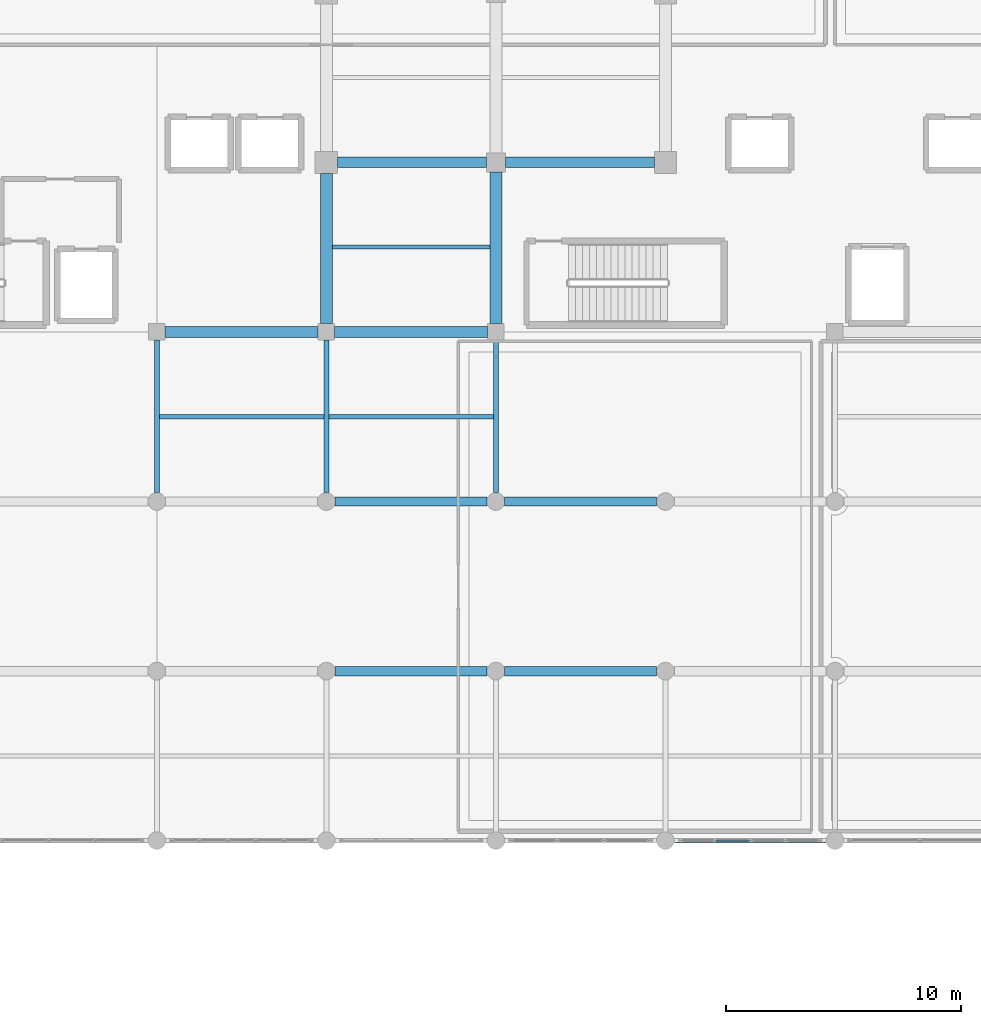
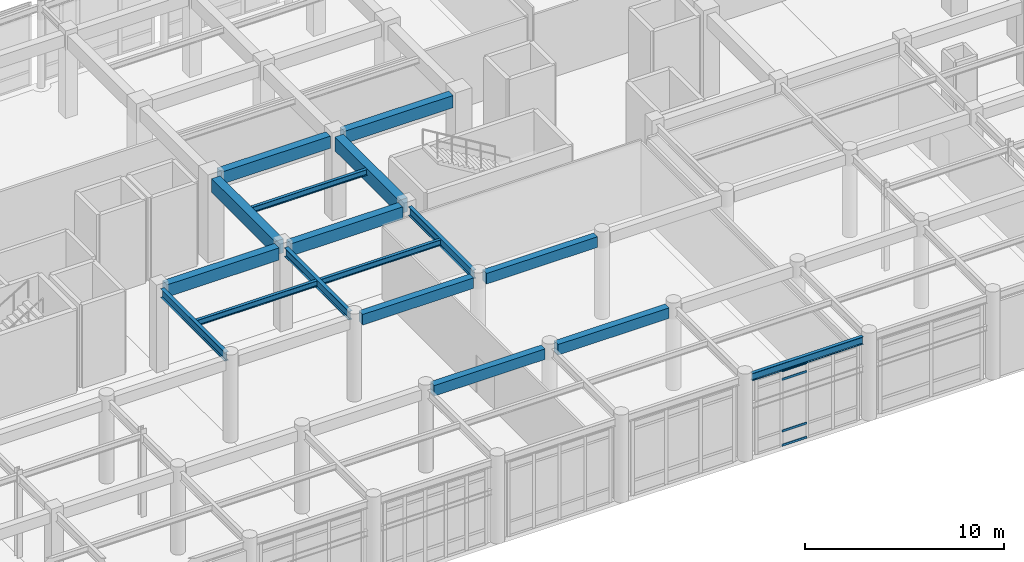
# One storey, part 37 of 102: 17 beams, 4 members, 1 element without a shape of its own.
"""IFC4 building model written with IfcOpenShell, lengths in metres."""

from ifc_helpers import new_model, si_unit, direction, frame, origin, origin_2d, place, context, subcontext, project, spatial, rectangle, hollow_rectangle, i_section, extrude, material, layer, layer_set, material_profile, profile_set, type_object, element, aggregate, save


model = new_model("IFC4")

# Units and contexts
model_context = context("Model", 3, precision=1e-05, world=origin(), true_north=direction((0.0, 1.0)))
body_context = subcontext(model_context, "Body", "Model", "MODEL_VIEW")
ifc_project = project(units=[si_unit("LENGTHUNIT", "METRE"), si_unit("AREAUNIT", "SQUARE_METRE"), si_unit("VOLUMEUNIT", "CUBIC_METRE"), si_unit("PLANEANGLEUNIT", "RADIAN"), si_unit("MASSUNIT", "GRAM", prefix="KILO")], contexts=[model_context])

# Site, building, storey
site_placement = place(None, origin())
site = spatial("IfcSite", under=ifc_project, at=site_placement, CompositionType="ELEMENT")
building_placement = place(site_placement, origin())
building = spatial("IfcBuilding", under=site, at=building_placement, Name="Carrowvane Square Congress Hotel", CompositionType="ELEMENT")
storey_placement = place(building_placement, origin())
storey = spatial("IfcBuildingStorey", under=building, at=storey_placement, Name="L00", CompositionType="ELEMENT", Elevation=0.0)

# Beams
ifc_material_1 = material(Name="Concrete C35/45", Category="concrete")
ifc_material_profile_1 = material_profile(ifc_material_1, rectangle(XDim=0.39990234375, YDim=0.64990234375, at=origin_2d()), Name="RC 400x650")
ifc_profile_set_1 = profile_set([ifc_material_profile_1], Name="Concrete C35/45")
beam_type_1 = type_object("IfcBeamType", Name="BM-RC-400x650", PredefinedType="BEAM", material=ifc_profile_set_1)
for number, where, z_axis, x_axis, name in (
    (1, (91.175048828125, 77.39990234375, 4.77490234375), (1.0, 0.0, 0.0), (0.0, 1.0, 0.0), "L01 girder L/12-13"),
    (2, (98.375, 77.39990234375, 4.77490234375), (1.0, 0.0, 0.0), (0.0, 1.0, 0.0), "L01 girder L/13-14"),
    (3, (91.175048828125, 84.60009765625, 4.77490234375), (1.0, 0.0, 0.0), (0.0, 1.0, 0.0), "L01 girder M/12-13"),
    (4, (98.375, 84.60009765625, 4.77490234375), (1.0, 0.0, 0.0), (0.0, 1.0, 0.0), "L01 girder M/13-14"),
):
    element("IfcBeam", number, at=place(storey_placement, frame(where, z_axis=z_axis, x_axis=x_axis)), inside=storey, type_object=beam_type_1, Name=name, PredefinedType="BEAM", context=body_context, shape_type="SweptSolid", body=[
        extrude(rectangle(XDim=0.39990234375, YDim=0.64990234375, at=origin_2d()), origin(), (0.0, 0.0, 1.0), 6.449951171875),
    ])
ifc_material_2 = material(Name="Concrete C35/45", Category="concrete")
ifc_material_profile_2 = material_profile(ifc_material_2, rectangle(XDim=0.449951171875, YDim=0.75, at=origin_2d()), Name="RC 450x750")
ifc_profile_set_2 = profile_set([ifc_material_profile_2], Name="Concrete C35/45")
beam_type_2 = type_object("IfcBeamType", Name="BM-RC-450x750", PredefinedType="USERDEFINED", material=ifc_profile_set_2)
for number, where, z_axis, x_axis, name in (
    (5, (83.949951171875, 91.800048828125, 4.72509765625), (1.0, 0.0, 0.0), (0.0, 1.0, 0.0), "L01 girder N/11-12"),
    (6, (91.14990234375, 91.800048828125, 4.72509765625), (1.0, 0.0, 0.0), (0.0, 1.0, 0.0), "L01 girder N/12-13"),
):
    element("IfcBeam", number, at=place(storey_placement, frame(where, z_axis=z_axis, x_axis=x_axis)), inside=storey, type_object=beam_type_2, Name=name, ObjectType="GIRDER", PredefinedType="USERDEFINED", context=body_context, shape_type="SweptSolid", body=[
        extrude(rectangle(XDim=0.449951171875, YDim=0.75, at=origin_2d()), origin(), (0.0, 0.0, 1.0), 6.5),
    ])
for number, where, z_axis, x_axis, name in (
    (7, (91.27490234375, 99.0, 4.72509765625), (1.0, 0.0, 0.0), (0.0, 1.0, 0.0), "L01 girder P/12-13"),
    (8, (98.39990234375, 99.0, 4.72509765625), (1.0, 0.0, 0.0), (0.0, 1.0, 0.0), "L01 girder P/13-14"),
):
    element("IfcBeam", number, at=place(storey_placement, frame(where, z_axis=z_axis, x_axis=x_axis)), inside=storey, type_object=beam_type_2, Name=name, ObjectType="GIRDER", PredefinedType="USERDEFINED", context=body_context, shape_type="SweptSolid", body=[
        extrude(rectangle(XDim=0.449951171875, YDim=0.75, at=origin_2d()), origin(), (0.0, 0.0, 1.0), 6.3251953125),
    ])
ifc_material_3 = material(Name="Concrete C35/45", Category="concrete")
ifc_material_profile_3 = material_profile(ifc_material_3, rectangle(XDim=0.5, YDim=0.85009765625, at=origin_2d()), Name="RC 500x850")
ifc_profile_set_3 = profile_set([ifc_material_profile_3], Name="Concrete C35/45")
beam_type_3 = type_object("IfcBeamType", Name="BM-RC-500x850", PredefinedType="USERDEFINED", material=ifc_profile_set_3)
beam_1_placement = place(storey_placement, frame((90.800048828125, 92.14990234375, 4.675048828125), z_axis=(0.0, 1.0, 0.0), x_axis=(-1.0, 0.0, 0.0)))
element("IfcBeam", 9, at=beam_1_placement, inside=storey, type_object=beam_type_3, Name="L01 girder 12/N-P", ObjectType="GIRDER", PredefinedType="USERDEFINED", context=body_context, shape_type="SweptSolid", body=[
    extrude(rectangle(XDim=0.5, YDim=0.85009765625, at=origin_2d()), origin(), (0.0, 0.0, 1.0), 6.375),
])
beam_2_placement = place(storey_placement, frame((98.0, 92.14990234375, 4.675048828125), z_axis=(0.0, 1.0, 0.0), x_axis=(-1.0, 0.0, 0.0)))
element("IfcBeam", 10, at=beam_2_placement, inside=storey, type_object=beam_type_3, Name="L01 girder 13/N-P", ObjectType="GIRDER", PredefinedType="USERDEFINED", context=body_context, shape_type="SweptSolid", body=[
    extrude(rectangle(XDim=0.5, YDim=0.85009765625, at=origin_2d()), origin(), (0.0, 0.0, 1.0), 6.4501953125),
])
ifc_material_4 = material(Name="Steel S355", Category="steel")
ifc_material_profile_4 = material_profile(ifc_material_4, i_section(OverallWidth=0.172119140625, OverallDepth=0.35791015625, WebThickness=0.008056640625, FlangeThickness=0.012939453125, FilletRadius=0.01025390625, at=origin_2d()), Name="UKB 356x171x57")
ifc_profile_set_4 = profile_set([ifc_material_profile_4], Name="Steel S355")
beam_type_4 = type_object("IfcBeamType", Name="BM-ST-UKB356", PredefinedType="JOIST", material=ifc_profile_set_4)
for number, where, z_axis, x_axis, name in (
    (11, (83.705078125, 88.199951171875, 4.9208984375), (1.0, 0.0, 0.0), (0.0, 1.0, 0.0), "L01 secondary joist 11-12"),
    (12, (90.905029296875, 88.199951171875, 4.9208984375), (1.0, 0.0, 0.0), (0.0, 1.0, 0.0), "L01 secondary joist 12-13"),
):
    element("IfcBeam", number, at=place(storey_placement, frame(where, z_axis=z_axis, x_axis=x_axis)), inside=storey, type_object=beam_type_4, Name=name, PredefinedType="JOIST", context=body_context, shape_type="SweptSolid", body=[
        extrude(i_section(OverallWidth=0.172119140625, OverallDepth=0.35791015625, WebThickness=0.008056640625, FlangeThickness=0.012939453125, FilletRadius=0.01025390625, at=origin_2d()), origin(), (0.0, 0.0, 1.0), 6.989990234375),
    ])
beam_3_placement = place(storey_placement, frame((91.050048828125, 95.39990234375, 4.9208984375), z_axis=(1.0, 0.0, 0.0), x_axis=(0.0, 1.0, 0.0)))
element("IfcBeam", 13, at=beam_3_placement, inside=storey, type_object=beam_type_4, Name="L01 secondary joist 12-13", PredefinedType="JOIST", context=body_context, shape_type="SweptSolid", body=[
    extrude(i_section(OverallWidth=0.172119140625, OverallDepth=0.35791015625, WebThickness=0.008056640625, FlangeThickness=0.012939453125, FilletRadius=0.01025390625, at=origin_2d()), origin(), (0.0, 0.0, 1.0), 6.699951171875),
])
ifc_material_5 = material(Name="Steel S355", Category="steel")
ifc_material_profile_5 = material_profile(ifc_material_5, i_section(OverallWidth=0.19140625, OverallDepth=0.4599609375, WebThickness=0.010009765625, FlangeThickness=0.01611328125, FilletRadius=0.01025390625, at=origin_2d()), Name="UKB 457x191x82")
ifc_profile_set_5 = profile_set([ifc_material_profile_5], Name="Steel S355")
beam_type_5 = type_object("IfcBeamType", Name="BM-ST-UKB457", PredefinedType="SPANDREL", material=ifc_profile_set_5)
beam_4_placement = place(storey_placement, frame((105.574951171875, 70.199951171875, 4.8701171875), z_axis=(1.0, 0.0, 0.0), x_axis=(0.0, 1.0, 0.0)))
element("IfcBeam", 14, at=beam_4_placement, inside=storey, type_object=beam_type_5, Name="L01 girder K/14-15", PredefinedType="SPANDREL", context=body_context, shape_type="SweptSolid", body=[
    extrude(i_section(OverallWidth=0.19140625, OverallDepth=0.4599609375, WebThickness=0.010009765625, FlangeThickness=0.01611328125, FilletRadius=0.01025390625, at=origin_2d()), origin(), (0.0, 0.0, 1.0), 6.449951171875),
])
ifc_material_6 = material(Name="Steel S355", Category="steel")
ifc_material_profile_6 = material_profile(ifc_material_6, i_section(OverallWidth=0.2099609375, OverallDepth=0.53662109375, WebThickness=0.0107421875, FlangeThickness=0.017333984375, FilletRadius=0.0126953125, at=origin_2d()), Name="UKB 533x210x101")
ifc_profile_set_6 = profile_set([ifc_material_profile_6], Name="Steel S355")
beam_type_6 = type_object("IfcBeamType", Name="BM-ST-UKB533", PredefinedType="USERDEFINED", material=ifc_profile_set_6)
for number, where, z_axis, x_axis, name in (
    (15, (83.60009765625, 84.97509765625, 4.83154296875), (0.0, 1.0, 0.0), (-1.0, 0.0, 0.0), "L01 girder 11/M-N"),
    (16, (90.800048828125, 84.97509765625, 4.83154296875), (0.0, 1.0, 0.0), (-1.0, 0.0, 0.0), "L01 girder 12/M-N"),
    (17, (98.0, 84.97509765625, 4.83154296875), (0.0, 1.0, 0.0), (-1.0, 0.0, 0.0), "L01 girder 13/M-N"),
):
    element("IfcBeam", number, at=place(storey_placement, frame(where, z_axis=z_axis, x_axis=x_axis)), inside=storey, type_object=beam_type_6, Name=name, ObjectType="GIRDER", PredefinedType="USERDEFINED", context=body_context, shape_type="SweptSolid", body=[
        extrude(i_section(OverallWidth=0.2099609375, OverallDepth=0.53662109375, WebThickness=0.0107421875, FlangeThickness=0.017333984375, FilletRadius=0.0126953125, at=origin_2d()), origin(), (0.0, 0.0, 1.0), 6.474853515625),
    ])

# Curtain wall, members
ifc_material_7 = material(Name="Anodised aluminium", Category="aluminium")
ifc_layer = layer(ifc_material_7, 0.2099609375)
ifc_layer_set = layer_set([ifc_layer], Name="Anodised aluminium")
curtain_wall_type = type_object("IfcCurtainWallType", Name="CW-SYS-5", PredefinedType="NOTDEFINED", material=ifc_layer_set)
curtain_wall_placement = place(storey_placement, origin())
curtain_wall = element("IfcCurtainWall", 18, at=curtain_wall_placement, inside=storey, type_object=curtain_wall_type, Name="L00 unitised curtain wall 52", PredefinedType="NOTDEFINED")
ifc_material_8 = material(Name="Anodised aluminium", Category="aluminium")
ifc_material_profile_7 = material_profile(ifc_material_8, hollow_rectangle(XDim=0.06005859375, YDim=0.1298828125, WallThickness=0.00390625, at=origin_2d()), Name="CW-TR 60x130x4")
ifc_profile_set_7 = profile_set([ifc_material_profile_7], Name="Anodised aluminium")
member_type = type_object("IfcMemberType", Name="CW-TRN-1", PredefinedType="USERDEFINED", material=ifc_profile_set_7)
member_1_placement = place(storey_placement, frame((108.77001953125, 70.199951171875, 0.030029296875), z_axis=(-1.0, 0.0, 0.0), x_axis=(0.0, -1.0, 0.0)))
member_1 = element("IfcMember", 19, at=member_1_placement, type_object=member_type, Name="CW-5 transom 3.1", ObjectType="TRANSOM", PredefinedType="USERDEFINED", context=body_context, shape_type="SweptSolid", body=[
    extrude(hollow_rectangle(XDim=0.06005859375, YDim=0.1298828125, WallThickness=0.00390625, at=origin_2d()), origin(), (0.0, 0.0, 1.0), 1.4326171875),
])
member_2_placement = place(storey_placement, frame((108.77001953125, 70.199951171875, 0.89990234375), z_axis=(-1.0, 0.0, 0.0), x_axis=(0.0, -1.0, 0.0)))
member_2 = element("IfcMember", 20, at=member_2_placement, type_object=member_type, Name="CW-5 transom 3.2", ObjectType="TRANSOM", PredefinedType="USERDEFINED", context=body_context, shape_type="SweptSolid", body=[
    extrude(hollow_rectangle(XDim=0.06005859375, YDim=0.1298828125, WallThickness=0.00390625, at=origin_2d()), origin(), (0.0, 0.0, 1.0), 1.4326171875),
])
member_3_placement = place(storey_placement, frame((108.77001953125, 70.199951171875, 4.074951171875), z_axis=(-1.0, 0.0, 0.0), x_axis=(0.0, -1.0, 0.0)))
member_3 = element("IfcMember", 21, at=member_3_placement, type_object=member_type, Name="CW-5 transom 3.3", ObjectType="TRANSOM", PredefinedType="USERDEFINED", context=body_context, shape_type="SweptSolid", body=[
    extrude(hollow_rectangle(XDim=0.06005859375, YDim=0.1298828125, WallThickness=0.00390625, at=origin_2d()), origin(), (0.0, 0.0, 1.0), 1.4326171875),
])
member_4_placement = place(storey_placement, frame((108.77001953125, 70.199951171875, 4.594970703125), z_axis=(-1.0, 0.0, 0.0), x_axis=(0.0, -1.0, 0.0)))
member_4 = element("IfcMember", 22, at=member_4_placement, type_object=member_type, Name="CW-5 transom 3.4", ObjectType="TRANSOM", PredefinedType="USERDEFINED", context=body_context, shape_type="SweptSolid", body=[
    extrude(hollow_rectangle(XDim=0.06005859375, YDim=0.1298828125, WallThickness=0.00390625, at=origin_2d()), origin(), (0.0, 0.0, 1.0), 1.4326171875),
])
aggregate(curtain_wall, [member_1, member_2, member_3, member_4])

save(model, "model.ifc")
